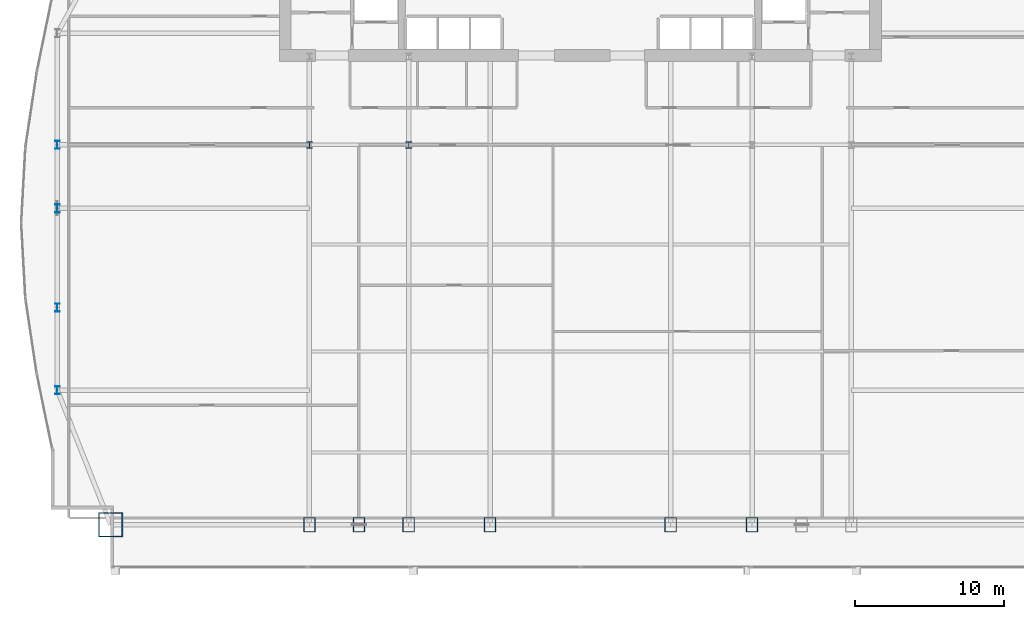
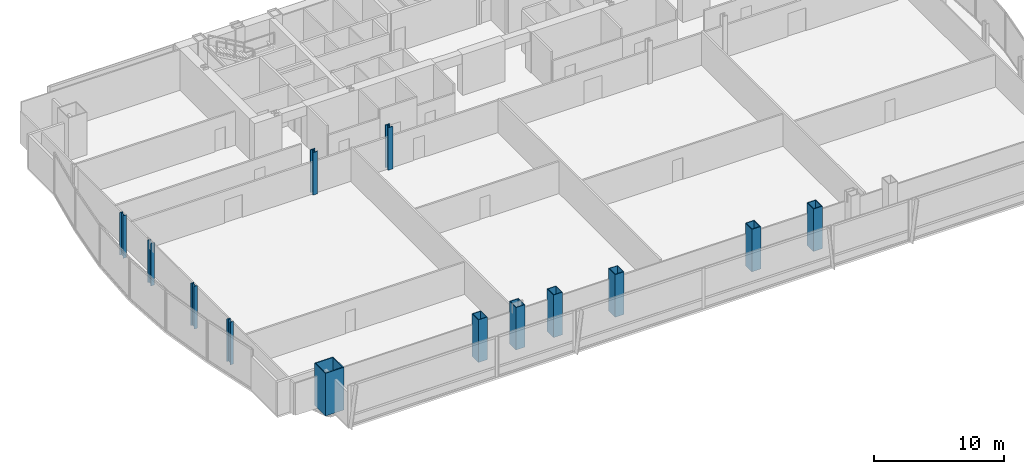
# One storey, part 1 of 36: 13 columns.
"""IFC4 building model written with IfcOpenShell, lengths in metres."""

from ifc_helpers import new_model, si_unit, direction, frame, origin, origin_2d, place, context, subcontext, project, spatial, hollow_rectangle, i_section, extrude, material, material_profile, profile_set, type_object, element, save


model = new_model("IFC4")

# Units and contexts
model_context = context("Model", 3, precision=1e-05, world=origin(), true_north=direction((0.0, 1.0)))
body_context = subcontext(model_context, "Body", "Model", "MODEL_VIEW")
ifc_project = project(units=[si_unit("LENGTHUNIT", "METRE"), si_unit("AREAUNIT", "SQUARE_METRE"), si_unit("VOLUMEUNIT", "CUBIC_METRE"), si_unit("PLANEANGLEUNIT", "RADIAN"), si_unit("MASSUNIT", "GRAM", prefix="KILO")], contexts=[model_context])

# Site, building, storey
site_placement = place(None, origin())
site = spatial("IfcSite", under=ifc_project, at=site_placement, CompositionType="ELEMENT")
building_placement = place(site_placement, origin())
building = spatial("IfcBuilding", under=site, at=building_placement, Name="Khoronbel Lancet Exchange", CompositionType="ELEMENT")
storey_placement = place(building_placement, frame((0.0, 0.0, 57.800048828125)))
storey = spatial("IfcBuildingStorey", under=building, at=storey_placement, Name="L13", CompositionType="ELEMENT", Elevation=57.800048828125)

# Columns
ifc_material_1 = material(Name="Steel S460", Category="steel")
ifc_material_profile_1 = material_profile(ifc_material_1, hollow_rectangle(XDim=0.800048828125, YDim=1.0, WallThickness=0.054931640625, at=origin_2d()), Name="BOX 1000x800x55")
ifc_profile_set_1 = profile_set([ifc_material_profile_1], Name="Steel S460")
column_type_1 = type_object("IfcColumnType", Name="COL-EC1", PredefinedType="COLUMN", material=ifc_profile_set_1)
for number, where, z_axis, x_axis, name in (
    (1, (18.22509765625, 10.14990234375, 0.0), (0.0, 0.0, 1.0), (1.0, 0.0, 0.0), "Structural column SC-W1 L13"),
    (2, (21.5625, 10.14990234375, 0.0), (0.0, 0.0, 1.0), (1.0, 0.0, 0.0), "Structural column SC-WM L13"),
    (3, (24.89990234375, 10.14990234375, 0.0), (0.0, 0.0, 1.0), (1.0, 0.0, 0.0), "Structural column SC-W2 L13"),
    (4, (30.375, 10.14990234375, 0.0), (0.0, 0.0, 1.0), (1.0, 0.0, 0.0), "Structural column SC-C1 L13"),
    (5, (42.52490234375, 10.14990234375, 0.0), (0.0, 0.0, 1.0), (1.0, 0.0, 0.0), "Structural column SC-C2 L13"),
    (6, (48.0, 10.14990234375, 0.0), (0.0, 0.0, 1.0), (1.0, 0.0, 0.0), "Structural column SC-E1 L13"),
):
    element("IfcColumn", number, at=place(storey_placement, frame(where, z_axis=z_axis, x_axis=x_axis)), inside=storey, type_object=column_type_1, Name=name, PredefinedType="COLUMN", context=body_context, shape_type="SweptSolid", body=[
        extrude(hollow_rectangle(XDim=0.800048828125, YDim=1.0, WallThickness=0.054931640625, at=origin_2d()), origin(), (0.0, 0.0, 1.0), 4.0),
    ])
ifc_material_profile_2 = material_profile(ifc_material_1, i_section(OverallWidth=0.424072265625, OverallDepth=0.47412109375, WebThickness=0.047607421875, FlangeThickness=0.076904296875, at=origin_2d()), Name="HD 400x634")
ifc_profile_set_2 = profile_set([ifc_material_profile_2], Name="Steel S460")
column_type_2 = type_object("IfcColumnType", Name="COL-IC1", PredefinedType="COLUMN", material=ifc_profile_set_2)
for number, where, z_axis, x_axis, name in (
    (7, (18.22509765625, 35.699951171875, 0.0), (0.0, 0.0, 1.0), (1.0, 0.0, 0.0), "Spine gravity column TC1 L13"),
    (8, (24.89990234375, 35.699951171875, 0.0), (0.0, 0.0, 1.0), (1.0, 0.0, 0.0), "Spine gravity column TC2 L13"),
):
    element("IfcColumn", number, at=place(storey_placement, frame(where, z_axis=z_axis, x_axis=x_axis)), inside=storey, type_object=column_type_2, Name=name, PredefinedType="COLUMN", context=body_context, shape_type="SweptSolid", body=[
        extrude(i_section(OverallWidth=0.424072265625, OverallDepth=0.47412109375, WebThickness=0.047607421875, FlangeThickness=0.076904296875, at=origin_2d()), origin(), (0.0, 0.0, 1.0), 4.0),
    ])
ifc_material_2 = material(Name="Steel S355", Category="steel")
ifc_material_profile_3 = material_profile(ifc_material_2, i_section(OverallWidth=0.300048828125, OverallDepth=0.550048828125, WebThickness=0.014892578125, FlangeThickness=0.029052734375, at=origin_2d()), Name="HEB 550")
ifc_profile_set_3 = profile_set([ifc_material_profile_3], Name="Steel S355")
column_type_3 = type_object("IfcColumnType", Name="COL-LC1", PredefinedType="COLUMN", material=ifc_profile_set_3)
for number, where, z_axis, x_axis, name in (
    (9, (1.27001953125, 19.199951171875, 0.0), (0.0, 0.0, 1.0), (1.0, 0.0, 0.0), "Structural column WC-1 L13"),
    (10, (1.27001953125, 24.75, 0.0), (0.0, 0.0, 1.0), (1.0, 0.0, 0.0), "Structural column WC-2 L13"),
    (11, (1.27001953125, 31.425048828125, 0.0), (0.0, 0.0, 1.0), (1.0, 0.0, 0.0), "Structural column WC-M L13"),
    (12, (1.27001953125, 35.699951171875, 0.0), (0.0, 0.0, 1.0), (1.0, 0.0, 0.0), "Structural column WC-3 L13"),
):
    element("IfcColumn", number, at=place(storey_placement, frame(where, z_axis=z_axis, x_axis=x_axis)), inside=storey, type_object=column_type_3, Name=name, PredefinedType="COLUMN", context=body_context, shape_type="SweptSolid", body=[
        extrude(i_section(OverallWidth=0.300048828125, OverallDepth=0.550048828125, WebThickness=0.014892578125, FlangeThickness=0.029052734375, at=origin_2d()), origin(), (0.0, 0.0, 1.0), 4.0),
    ])
ifc_material_profile_4 = material_profile(ifc_material_1, hollow_rectangle(XDim=1.64990234375, YDim=1.64990234375, WallThickness=0.074951171875, at=origin_2d()), Name="BOX 1650x1650x75")
ifc_profile_set_4 = profile_set([ifc_material_profile_4], Name="Steel S460")
column_type_4 = type_object("IfcColumnType", Name="COL-MC2", PredefinedType="COLUMN", material=ifc_profile_set_4)
column_placement = place(storey_placement, frame((4.85009765625, 10.14990234375, 0.0), z_axis=(0.0, 0.0, 1.0), x_axis=(1.0, 0.0, 0.0)))
element("IfcColumn", 13, at=column_placement, inside=storey, type_object=column_type_4, Name="Structural column MC-SW L13", PredefinedType="COLUMN", context=body_context, shape_type="SweptSolid", body=[
    extrude(hollow_rectangle(XDim=1.64990234375, YDim=1.64990234375, WallThickness=0.074951171875, at=origin_2d()), origin(), (0.0, 0.0, 1.0), 4.0),
])

save(model, "model.ifc")
